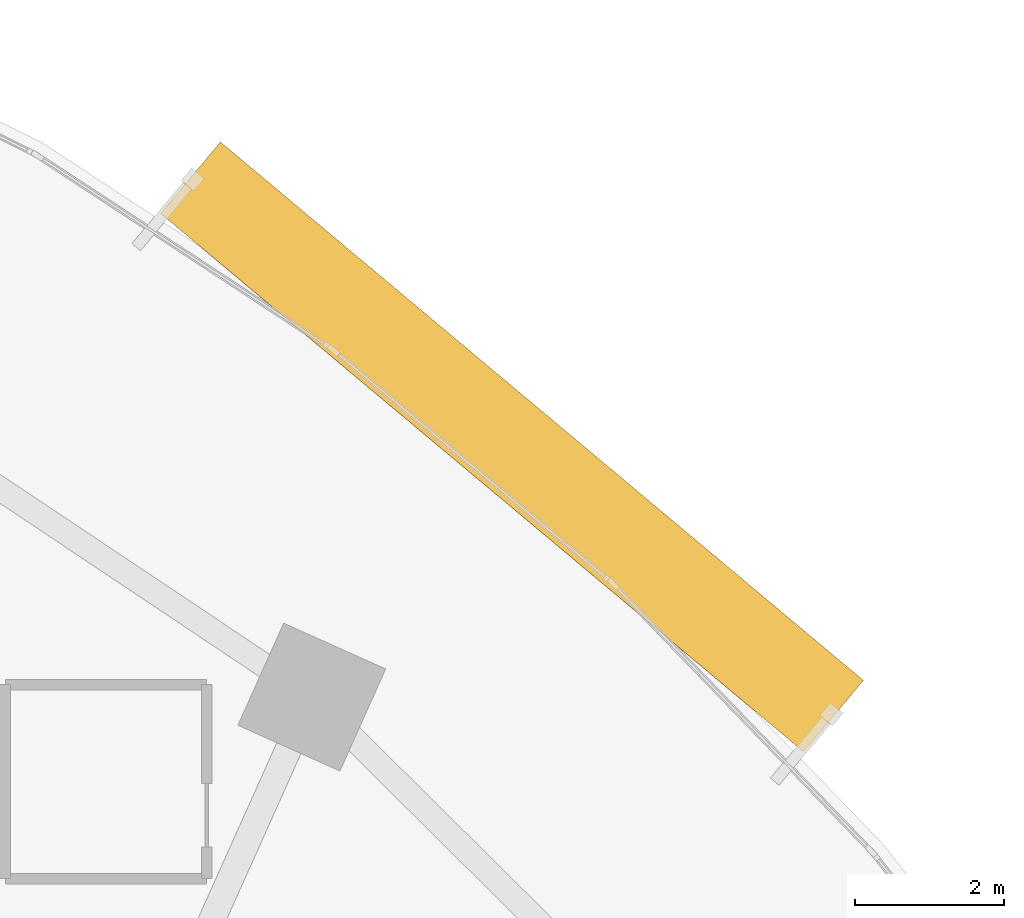
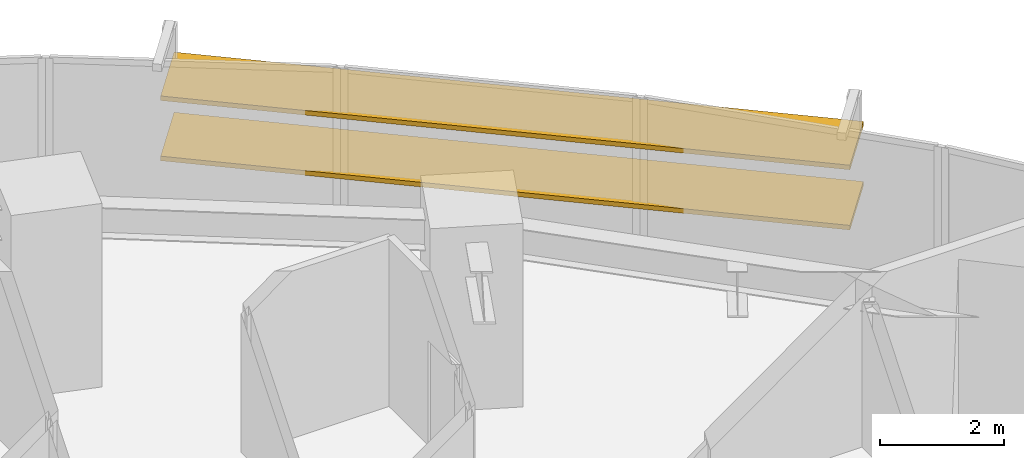
# One storey, part 17 of 17: 2 shading devices.
"""IFC4 building model written with IfcOpenShell, lengths in metres."""

from ifc_helpers import new_model, si_unit, direction, frame, origin, origin_2d, place, context, subcontext, project, spatial, rectangle, extrude, source, transform, mapped, material, material_profile, profile_set, type_object, element, save


model = new_model("IFC4")

# Units and contexts
model_context = context("Model", 3, precision=1e-05, world=origin(), true_north=direction((0.0, 1.0)))
body_context = subcontext(model_context, "Body", "Model", "MODEL_VIEW")
ifc_project = project(units=[si_unit("LENGTHUNIT", "METRE"), si_unit("AREAUNIT", "SQUARE_METRE"), si_unit("VOLUMEUNIT", "CUBIC_METRE"), si_unit("PLANEANGLEUNIT", "RADIAN"), si_unit("MASSUNIT", "GRAM", prefix="KILO")], contexts=[model_context])

# Site, building, storey
site_placement = place(None, origin())
site = spatial("IfcSite", under=ifc_project, at=site_placement, CompositionType="ELEMENT")
building_placement = place(site_placement, origin())
building = spatial("IfcBuilding", under=site, at=building_placement, Name="Breltana Convention Tower", CompositionType="ELEMENT")
storey_placement = place(building_placement, frame((0.0, 0.0, 82.199951171875)))
storey = spatial("IfcBuildingStorey", under=building, at=storey_placement, Name="L19", CompositionType="ELEMENT", Elevation=82.199951171875)

# Shading devices
ifc_material = material(Name="Limestone Warm Buff Honed", Category="masonry")
ifc_material_profile = material_profile(ifc_material, rectangle(XDim=1.25, YDim=0.090087890625, at=origin_2d()), Name="STN-LVR-1250X90")
ifc_profile_set = profile_set([ifc_material_profile], Name="Limestone Warm Buff Honed")
shading_device_type = type_object("IfcShadingDeviceType", Name="SHD-OUTER-SKIN-LIMESTONE-1250", PredefinedType="JALOUSIE", material=ifc_profile_set)
shared_shape = source(origin(), body_context, "Body", "SweptSolid", [
    extrude(rectangle(XDim=1.25, YDim=0.090087890625, at=origin_2d()), origin(), (0.0, 0.0, 1.0), 11.246337890625),
])
for number, where, z_axis, x_axis, name in (
    (1, (67.28369140625, 75.598388671875, 1.180908203125), (0.766719155588, -0.641982660556, 0.0), (0.641982660556, 0.766719155588, 0.0), "L19 outer skin warm limestone louvre 2.1"),
    (2, (67.28369140625, 75.598388671875, 2.361572265625), (0.766719155588, -0.641982660556, 0.0), (0.641982660556, 0.766719155588, 0.0), "L19 outer skin warm limestone louvre 2.2"),
):
    element("IfcShadingDevice", number, at=place(storey_placement, frame(where, z_axis=z_axis, x_axis=x_axis)), inside=storey, type_object=shading_device_type, Name=name, PredefinedType="JALOUSIE", context=body_context, shape_type="MappedRepresentation", body=[
        mapped(shared_shape, transform((0.0, 0.0, 0.0), scale=1.0)),
    ])

save(model, "model.ifc")
